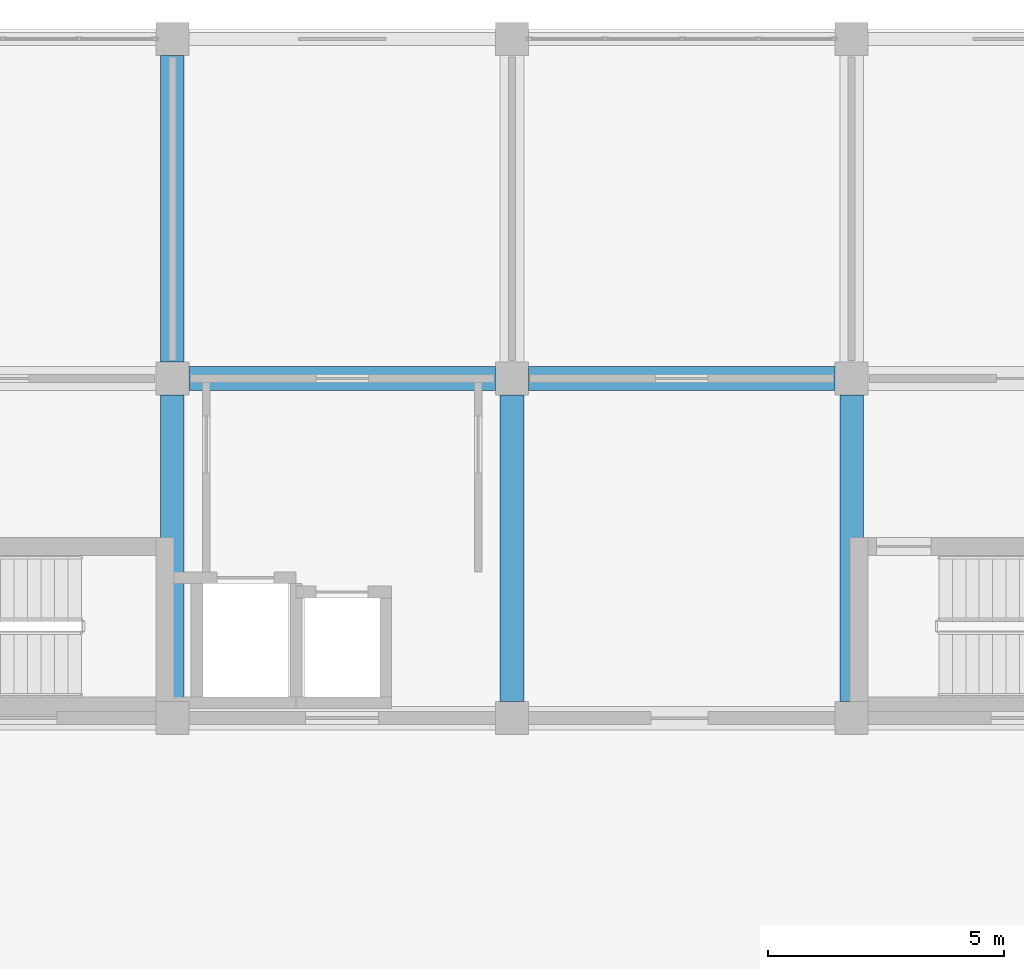
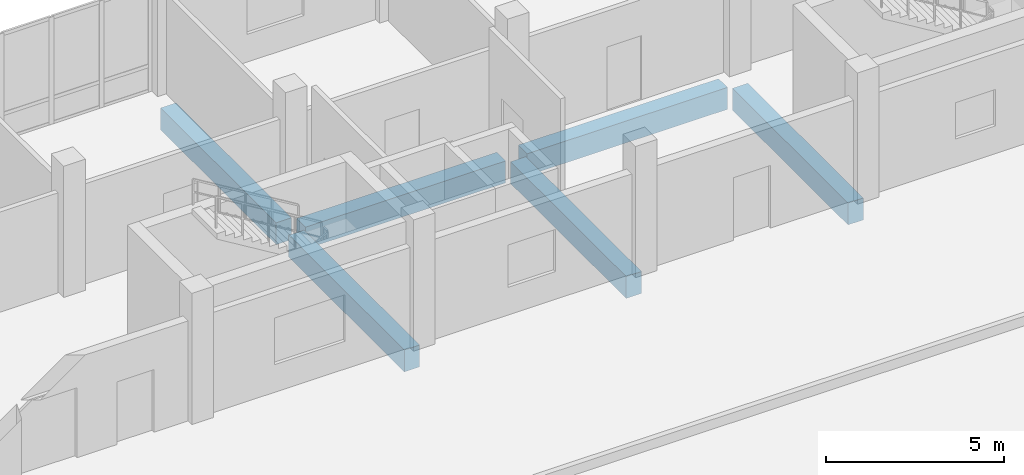
# One storey, part 94 of 139: 6 beams.
"""IFC4 building model written with IfcOpenShell, lengths in metres."""

from ifc_helpers import new_model, si_unit, direction, frame, origin, origin_2d, place, context, subcontext, project, spatial, rectangle, extrude, material, material_profile, profile_set, type_object, element, save


model = new_model("IFC4")

# Units and contexts
model_context = context("Model", 3, precision=1e-05, world=origin(), true_north=direction((0.0, 1.0)))
body_context = subcontext(model_context, "Body", "Model", "MODEL_VIEW")
ifc_project = project(units=[si_unit("LENGTHUNIT", "METRE"), si_unit("AREAUNIT", "SQUARE_METRE"), si_unit("VOLUMEUNIT", "CUBIC_METRE"), si_unit("PLANEANGLEUNIT", "RADIAN"), si_unit("MASSUNIT", "GRAM", prefix="KILO")], contexts=[model_context])

# Site, building, storey
site_placement = place(None, origin())
site = spatial("IfcSite", under=ifc_project, at=site_placement, CompositionType="ELEMENT")
building_placement = place(site_placement, origin())
building = spatial("IfcBuilding", under=site, at=building_placement, Name="Suanplinth Sawtooth Commons", CompositionType="ELEMENT")
storey_placement = place(building_placement, origin())
storey = spatial("IfcBuildingStorey", under=building, at=storey_placement, Name="L00", CompositionType="ELEMENT", Elevation=0.0)

# Beams
ifc_material = material(Name="Concrete C40/50", Category="concrete")
ifc_material_profile = material_profile(ifc_material, rectangle(XDim=0.5, YDim=0.75, at=origin_2d()), Name="RC-GDR 500x750")
ifc_profile_set = profile_set([ifc_material_profile], Name="Concrete C40/50")
beam_type = type_object("IfcBeamType", Name="B-03", PredefinedType="USERDEFINED", material=ifc_profile_set)
for number, where, z_axis, x_axis, name in (
    (1, (144.35009765625, 115.199951171875, -0.794921875), (1.0, 0.0, 0.0), (0.0, 1.0, 0.0), "BMX-L00-B-20-16"),
    (2, (151.550048828125, 115.199951171875, -0.794921875), (1.0, 0.0, 0.0), (0.0, 1.0, 0.0), "BMX-L00-B-21-16"),
    (3, (144.0, 108.35009765625, -0.794921875), (0.0, 1.0, 0.0), (-1.0, 0.0, 0.0), "BMY-L00-B-20-15"),
    (4, (144.0, 115.550048828125, -0.794921875), (0.0, 1.0, 0.0), (-1.0, 0.0, 0.0), "BMY-L00-B-20-16"),
    (5, (151.199951171875, 108.35009765625, -0.794921875), (0.0, 1.0, 0.0), (-1.0, 0.0, 0.0), "BMY-L00-B-21-15"),
    (6, (158.39990234375, 108.35009765625, -0.794921875), (0.0, 1.0, 0.0), (-1.0, 0.0, 0.0), "BMY-L00-B-22-15"),
):
    element("IfcBeam", number, at=place(storey_placement, frame(where, z_axis=z_axis, x_axis=x_axis)), inside=storey, type_object=beam_type, Name=name, ObjectType="GIRDER", PredefinedType="USERDEFINED", context=body_context, shape_type="SweptSolid", body=[
        extrude(rectangle(XDim=0.5, YDim=0.75, at=origin_2d()), origin(), (0.0, 0.0, 1.0), 6.5),
    ])

save(model, "model.ifc")
